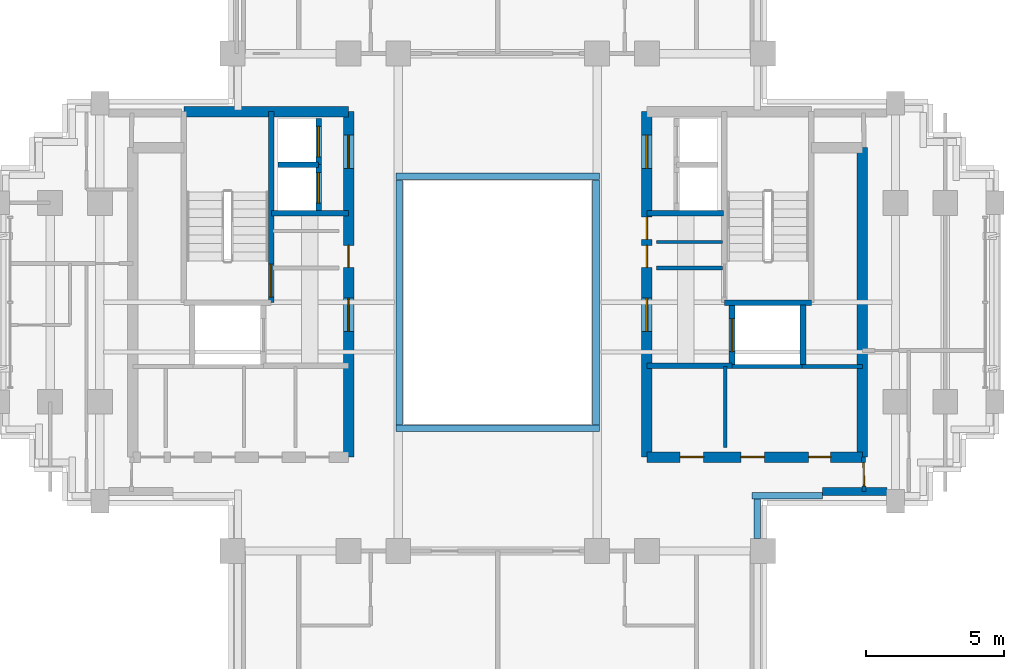
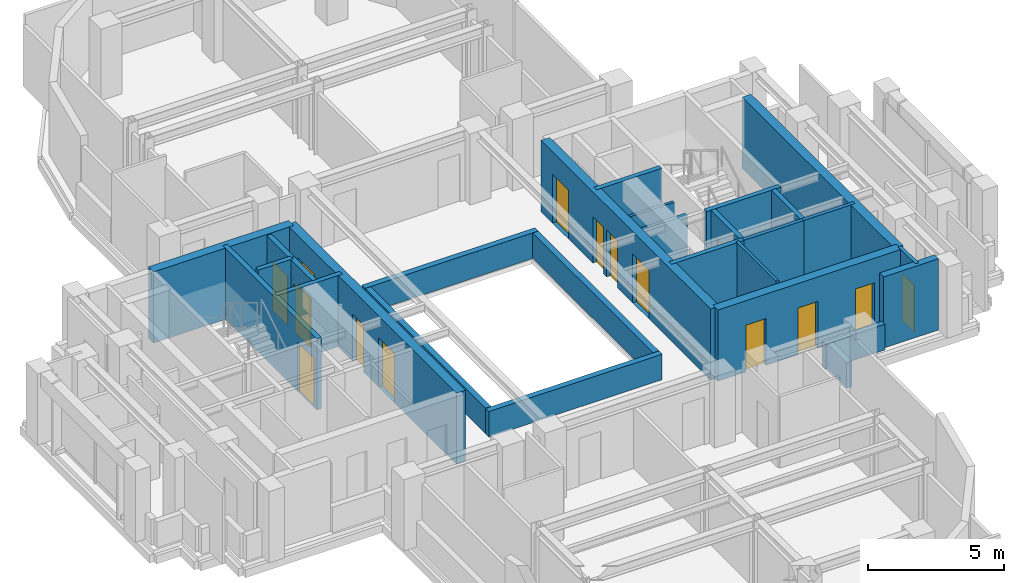
# One storey, part 7 of 12: 28 walls, 15 doors, 15 openings.
"""IFC4 building model written with IfcOpenShell, lengths in metres."""

from ifc_helpers import new_model, si_unit, direction, frame, frame_2d, origin, place, context, subcontext, project, spatial, rectangle, extrude, source, transform, mapped, material, layer, layer_set, type_object, element, fill, save


model = new_model("IFC4")

# Units and contexts
model_context = context("Model", 3, precision=1e-05, world=origin(), true_north=direction((0.0, 1.0)))
body_context = subcontext(model_context, "Body", "Model", "MODEL_VIEW")
ifc_project = project(units=[si_unit("LENGTHUNIT", "METRE"), si_unit("AREAUNIT", "SQUARE_METRE"), si_unit("VOLUMEUNIT", "CUBIC_METRE"), si_unit("PLANEANGLEUNIT", "RADIAN"), si_unit("MASSUNIT", "GRAM", prefix="KILO")], contexts=[model_context])

# Site, building, storey
site_placement = place(None, origin())
site = spatial("IfcSite", under=ifc_project, at=site_placement, CompositionType="ELEMENT")
building_placement = place(site_placement, origin())
building = spatial("IfcBuilding", under=site, at=building_placement, Name="Keilestroom Media Tower", CompositionType="ELEMENT")
storey_placement = place(building_placement, frame((0.0, 0.0, 191.0)))
storey = spatial("IfcBuildingStorey", under=building, at=storey_placement, Name="L52", CompositionType="ELEMENT", Elevation=191.0)

# Walls
ifc_material_1 = material(Name="Precast concrete C40/50", Category="concrete")
ifc_layer_1 = layer(ifc_material_1, 0.300048828125)
ifc_layer_set_1 = layer_set([ifc_layer_1], Name="Precast concrete C40/50")
wall_type_1 = type_object("IfcWallType", Name="Exterior-Masonry-Spandrel-Wall-300", PredefinedType="SOLIDWALL", material=ifc_layer_set_1)
wall_1_placement = place(storey_placement, frame((11.75, -6.85009765625, 0.0), z_axis=(0.0, 0.0, 1.0), x_axis=(1.0, 0.0, 0.0)))
element("IfcWall", 1, at=wall_1_placement, inside=storey, type_object=wall_type_1, Name="L52 Flank Masonry Wall EWL-L52-SE-1", PredefinedType="SOLIDWALL", context=body_context, shape_type="SweptSolid", body=[
    extrude(rectangle(XDim=2.3330078125, YDim=0.300048828125, at=frame_2d((1.16650390625, 0.0))), origin(), (0.0, 0.0, 1.0), 3.199951171875),
])
ifc_material_2 = material(Name="Gypsum Plasterboard & Steel Stud", Category="steel")
ifc_layer_2 = layer(ifc_material_2, 0.1201171875)
ifc_layer_set_2 = layer_set([ifc_layer_2], Name="Gypsum Plasterboard & Steel Stud")
wall_type_2 = type_object("IfcWallType", Name="Interior-Partition-Wall-120", PredefinedType="PARTITIONING", material=ifc_layer_set_2)
wall_2_placement = place(storey_placement, frame((5.75, 2.179931640625, 0.0), z_axis=(0.0, 0.0, 1.0), x_axis=(1.0, 0.0, 0.0)))
element("IfcWall", 2, at=wall_2_placement, inside=storey, type_object=wall_type_2, Name="L52 Interior Wall WP-L52-CNE-N", PredefinedType="PARTITIONING", context=body_context, shape_type="SweptSolid", body=[
    extrude(rectangle(XDim=2.389892578125, YDim=0.1201171875, at=frame_2d((1.19482421875, 0.0))), origin(), (0.0, 0.0, 1.0), 2.300048828125),
])
wall_3_placement = place(storey_placement, frame((8.239990234375, -5.260009765625, 0.0), z_axis=(0.0, 0.0, 1.0), x_axis=(0.0, 1.0, 0.0)))
element("IfcWall", 3, at=wall_3_placement, inside=storey, type_object=wall_type_2, Name="L52 Interior Wall WP-L52-RECME-M", PredefinedType="PARTITIONING", context=body_context, shape_type="SweptSolid", body=[
    extrude(rectangle(XDim=2.93994140625, YDim=0.1201171875, at=frame_2d((1.469970703125, 0.0))), origin(), (0.0, 0.0, 1.0), 3.199951171875),
])
ifc_layer_3 = layer(ifc_material_2, 0.14990234375)
ifc_layer_set_3 = layer_set([ifc_layer_3], Name="Gypsum Plasterboard & Steel Stud")
wall_type_3 = type_object("IfcWallType", Name="Interior-Partition-Wall-150", PredefinedType="PARTITIONING", material=ifc_layer_set_3)
wall_4_placement = place(storey_placement, frame((5.75, 1.239990234375, 0.0), z_axis=(0.0, 0.0, 1.0), x_axis=(1.0, 0.0, 0.0)))
element("IfcWall", 4, at=wall_4_placement, inside=storey, type_object=wall_type_3, Name="L52 Interior Wall WP-L52-FFE-TOP", PredefinedType="PARTITIONING", context=body_context, shape_type="SweptSolid", body=[
    extrude(rectangle(XDim=2.389892578125, YDim=0.14990234375, at=frame_2d((1.19482421875, 0.0))), origin(), (0.0, 0.0, 1.0), 2.300048828125),
])
wall_5_placement = place(storey_placement, frame((11.02001953125, -2.320068359375, 0.0), z_axis=(0.0, 0.0, 1.0), x_axis=(1.0, 0.0, 0.0)))
element("IfcWall", 5, at=wall_5_placement, inside=storey, type_object=wall_type_3, Name="L52 Interior Wall WP-L52-RECLE-N", PredefinedType="PARTITIONING", context=body_context, shape_type="SweptSolid", body=[
    extrude(rectangle(XDim=2.179931640625, YDim=0.14990234375, at=frame_2d((1.08984375, 0.0))), origin(), (0.0, 0.0, 1.0), 3.199951171875),
])
wall_6_placement = place(storey_placement, frame((8.47998046875, -2.320068359375, 0.0), z_axis=(0.0, 0.0, 1.0), x_axis=(1.0, 0.0, 0.0)))
element("IfcWall", 6, at=wall_6_placement, inside=storey, type_object=wall_type_3, Name="L52 Interior Wall WP-L52-RECME-N", PredefinedType="PARTITIONING", context=body_context, shape_type="SweptSolid", body=[
    extrude(rectangle(XDim=2.56005859375, YDim=0.14990234375, at=frame_2d((1.280029296875, 0.0))), origin(), (0.0, 0.0, 1.0), 3.199951171875),
])

# Wall, opening, door
wall_7_placement = place(storey_placement, frame((13.260009765625, -6.85009765625, 0.0), z_axis=(0.0, 0.0, 1.0), x_axis=(-0.016013571389, 0.999871774545, 0.0)))
wall_7 = element("IfcWall", 7, at=wall_7_placement, inside=storey, type_object=wall_type_3, Name="L52 Interior Wall WP-L52-HEE-ENTS", PredefinedType="PARTITIONING", context=body_context, shape_type="SweptSolid", body=[
    extrude(rectangle(XDim=1.250244140625, YDim=0.14990234375, at=frame_2d((0.625, 0.0))), origin(), (0.0, 0.0, 1.0), 3.199951171875),
])
opening_1_placement = place(wall_7_placement, frame((0.199951171875, 0.0, 0.0)))
opening_1 = element("IfcOpeningElement", 8, at=opening_1_placement, cuts=wall_7, Name="Opening DI-05", PredefinedType="OPENING", context=body_context, shape_type="SweptSolid", body=[
    extrude(rectangle(XDim=0.85009765625, YDim=2.10009765625, at=frame_2d((0.425048828125, 1.050048828125))), frame((0.0, 0.0849609375, 0.0), z_axis=(0.0, -1.0, 0.0), x_axis=(1.0, 0.0, 0.0)), (0.0, 0.0, 1.0), 0.169921875),
])
ifc_material_3 = material(Name="Moisture-Resistant Oak Leaf", Category="wood")
door_type_1 = type_object("IfcDoorType", Name="Interior-En-Suite-And-Cupboard-Door-DI-05", OperationType="NOTDEFINED", PredefinedType="DOOR", material=ifc_material_3)
shared_shape_1 = source(origin(), body_context, "Body", "SweptSolid", [
    extrude(rectangle(XDim=0.85009765625, YDim=2.10009765625, at=frame_2d((0.425048828125, 1.050048828125))), frame((0.0, 0.02490234375, 0.0), z_axis=(0.0, -1.0, 0.0), x_axis=(1.0, 0.0, 0.0)), (0.0, 0.0, 1.0), 0.050048828125),
])
door_1_placement = place(opening_1_placement, origin())
door_1 = element("IfcDoor", 9, at=door_1_placement, inside=storey, type_object=door_type_1, Name="L52 Interior Door DI-L52-DHEE-ENTS", OperationType="SINGLE_SWING_LEFT", OverallHeight=2.10009765625, OverallWidth=0.85009765625, PredefinedType="DOOR", context=body_context, shape_type="MappedRepresentation", body=[
    mapped(shared_shape_1, transform((0.0, 0.0, 0.0), x_axis=(1.0, 0.0, 0.0), y_axis=(0.0, 1.0, 0.0), z_axis=(0.0, 0.0, 1.0), scale=1.0)),
])
fill(opening_1, door_1)

# Wall, openings, doors
ifc_material_4 = material(Name="Concrete C55/67", Category="concrete")
ifc_layer_4 = layer(ifc_material_4, 0.3798828125)
ifc_layer_set_4 = layer_set([ifc_layer_4], Name="Concrete C55/67")
wall_type_4 = type_object("IfcWallType", Name="Reinforced-Concrete-Core-Shear-Wall-380", PredefinedType="SHEAR", material=ifc_layer_set_4)
wall_8_placement = place(storey_placement, frame((-5.39990234375, -5.60009765625, 0.0), z_axis=(0.0, 0.0, 1.0), x_axis=(0.0, 1.0, 0.0)))
wall_8 = element("IfcWall", 10, at=wall_8_placement, inside=storey, type_object=wall_type_4, Name="L52 Core Shear Wall WL-L52-CORE-W-IN", PredefinedType="SHEAR", context=body_context, shape_type="SweptSolid", body=[
    extrude(rectangle(XDim=12.5, YDim=0.3798828125, at=frame_2d((6.25, 0.0))), origin(), (0.0, 0.0, 1.0), 3.199951171875),
])
opening_2_placement = place(wall_8_placement, frame((4.550048828125, 0.0, 0.0)))
opening_2 = element("IfcOpeningElement", 11, at=opening_2_placement, cuts=wall_8, Name="Opening DI-02", PredefinedType="OPENING", context=body_context, shape_type="SweptSolid", body=[
    extrude(rectangle(XDim=1.199951171875, YDim=2.199951171875, at=frame_2d((0.60009765625, 1.10009765625))), frame((0.0, 0.199951171875, 0.0), z_axis=(0.0, -1.0, 0.0), x_axis=(1.0, 0.0, 0.0)), (0.0, 0.0, 1.0), 0.39990234375),
])
opening_3_placement = place(wall_8_placement, frame((10.449951171875, 0.0, 0.0)))
opening_3 = element("IfcOpeningElement", 12, at=opening_3_placement, cuts=wall_8, Name="Opening DI-02", PredefinedType="OPENING", context=body_context, shape_type="SweptSolid", body=[
    extrude(rectangle(XDim=1.199951171875, YDim=2.199951171875, at=frame_2d((0.60009765625, 1.10009765625))), frame((0.0, 0.199951171875, 0.0), z_axis=(0.0, -1.0, 0.0), x_axis=(1.0, 0.0, 0.0)), (0.0, 0.0, 1.0), 0.39990234375),
])
opening_4_placement = place(wall_8_placement, frame((6.860107421875, 0.0, 0.0)))
opening_4 = element("IfcOpeningElement", 13, at=opening_4_placement, cuts=wall_8, Name="Opening DI-06", PredefinedType="OPENING", context=body_context, shape_type="SweptSolid", body=[
    extrude(rectangle(XDim=0.800048828125, YDim=2.10009765625, at=frame_2d((0.39990234375, 1.050048828125))), frame((0.0, 0.199951171875, 0.0), z_axis=(0.0, -1.0, 0.0), x_axis=(1.0, 0.0, 0.0)), (0.0, 0.0, 1.0), 0.39990234375),
])
ifc_material_5 = material(Name="Powder-Coated Steel Fire Leaf", Category="steel")
door_type_2 = type_object("IfcDoorType", Name="Interior-Compartment-Fire-Door-DI-02", OperationType="NOTDEFINED", PredefinedType="DOOR", material=ifc_material_5)
shared_shape_2 = source(origin(), body_context, "Body", "SweptSolid", [
    extrude(rectangle(XDim=1.199951171875, YDim=2.199951171875, at=frame_2d((0.60009765625, 1.10009765625))), frame((0.0, 0.02490234375, 0.0), z_axis=(0.0, -1.0, 0.0), x_axis=(1.0, 0.0, 0.0)), (0.0, 0.0, 1.0), 0.050048828125),
])
door_2_placement = place(opening_2_placement, origin())
door_2 = element("IfcDoor", 14, at=door_2_placement, inside=storey, type_object=door_type_2, Name="L52 W Firefighting Lobby Door", OperationType="SINGLE_SWING_RIGHT", OverallHeight=2.199951171875, OverallWidth=1.199951171875, PredefinedType="DOOR", context=body_context, shape_type="MappedRepresentation", body=[
    mapped(shared_shape_2, transform((0.0, 0.0, 0.0), x_axis=(1.0, 0.0, 0.0), y_axis=(0.0, 1.0, 0.0), z_axis=(0.0, 0.0, 1.0), scale=1.0)),
])
fill(opening_2, door_2)
door_3_placement = place(opening_3_placement, origin())
door_3 = element("IfcDoor", 15, at=door_3_placement, inside=storey, type_object=door_type_2, Name="L52 W High-Rise Lift Lobby Door", OperationType="SINGLE_SWING_LEFT", OverallHeight=2.199951171875, OverallWidth=1.199951171875, PredefinedType="DOOR", context=body_context, shape_type="MappedRepresentation", body=[
    mapped(shared_shape_2, transform((0.0, 0.0, 0.0), x_axis=(1.0, 0.0, 0.0), y_axis=(0.0, 1.0, 0.0), z_axis=(0.0, 0.0, 1.0), scale=1.0)),
])
fill(opening_3, door_3)
ifc_material_6 = material(Name="Powder-Coated Steel Service Leaf", Category="steel")
door_type_3 = type_object("IfcDoorType", Name="Interior-Riser-Access-Door-DI-06", OperationType="NOTDEFINED", PredefinedType="DOOR", material=ifc_material_6)
shared_shape_3 = source(origin(), body_context, "Body", "SweptSolid", [
    extrude(rectangle(XDim=0.800048828125, YDim=2.10009765625, at=frame_2d((0.39990234375, 1.050048828125))), frame((0.0, 0.02490234375, 0.0), z_axis=(0.0, -1.0, 0.0), x_axis=(1.0, 0.0, 0.0)), (0.0, 0.0, 1.0), 0.050048828125),
])
door_4_placement = place(opening_4_placement, origin())
door_4 = element("IfcDoor", 16, at=door_4_placement, inside=storey, type_object=door_type_3, Name="L52 West Core Switchroom Door", OperationType="SINGLE_SWING_LEFT", OverallHeight=2.10009765625, OverallWidth=0.800048828125, PredefinedType="DOOR", context=body_context, shape_type="MappedRepresentation", body=[
    mapped(shared_shape_3, transform((0.0, 0.0, 0.0), x_axis=(1.0, 0.0, 0.0), y_axis=(0.0, 1.0, 0.0), z_axis=(0.0, 0.0, 1.0), scale=1.0)),
])
fill(opening_4, door_4)

# Walls
wall_9_placement = place(storey_placement, frame((-11.35595703125, 6.89990234375, 0.0), z_axis=(0.0, 0.0, 1.0), x_axis=(1.0, 0.0, 0.0)))
element("IfcWall", 17, at=wall_9_placement, inside=storey, type_object=wall_type_4, Name="L52 Core Shear Wall WL-L52-CORE-W-N", PredefinedType="SHEAR", context=body_context, shape_type="SweptSolid", body=[
    extrude(rectangle(XDim=5.9560546875, YDim=0.3798828125, at=frame_2d((2.97802734375, 0.0))), origin(), (0.0, 0.0, 1.0), 3.199951171875),
])
wall_10_placement = place(storey_placement, frame((13.199951171875, -5.60009765625, 0.0), z_axis=(0.0, 0.0, 1.0), x_axis=(0.0, 1.0, 0.0)))
element("IfcWall", 18, at=wall_10_placement, inside=storey, type_object=wall_type_4, Name="L52 Core Shear Wall WL-L52-CORE-E-OUT", PredefinedType="SHEAR", context=body_context, shape_type="SweptSolid", body=[
    extrude(rectangle(XDim=11.2001953125, YDim=0.3798828125, at=frame_2d((5.60009765625, 0.0))), origin(), (0.0, 0.0, 1.0), 3.199951171875),
])

# Wall, openings, doors
wall_11_placement = place(storey_placement, frame((5.39990234375, -5.60009765625, 0.0), z_axis=(0.0, 0.0, 1.0), x_axis=(0.0, 1.0, 0.0)))
wall_11 = element("IfcWall", 19, at=wall_11_placement, inside=storey, type_object=wall_type_4, Name="L52 Core Shear Wall WL-L52-CORE-E-IN", PredefinedType="SHEAR", context=body_context, shape_type="SweptSolid", body=[
    extrude(rectangle(XDim=12.5, YDim=0.3798828125, at=frame_2d((6.25, 0.0))), origin(), (0.0, 0.0, 1.0), 3.199951171875),
])
opening_5_placement = place(wall_11_placement, frame((4.550048828125, 0.0, 0.0)))
opening_5 = element("IfcOpeningElement", 20, at=opening_5_placement, cuts=wall_11, Name="Opening DI-02", PredefinedType="OPENING", context=body_context, shape_type="SweptSolid", body=[
    extrude(rectangle(XDim=1.199951171875, YDim=2.199951171875, at=frame_2d((0.60009765625, 1.10009765625))), frame((0.0, 0.199951171875, 0.0), z_axis=(0.0, -1.0, 0.0), x_axis=(1.0, 0.0, 0.0)), (0.0, 0.0, 1.0), 0.39990234375),
])
opening_6_placement = place(wall_11_placement, frame((10.449951171875, 0.0, 0.0)))
opening_6 = element("IfcOpeningElement", 21, at=opening_6_placement, cuts=wall_11, Name="Opening DI-02", PredefinedType="OPENING", context=body_context, shape_type="SweptSolid", body=[
    extrude(rectangle(XDim=1.199951171875, YDim=2.199951171875, at=frame_2d((0.60009765625, 1.10009765625))), frame((0.0, 0.199951171875, 0.0), z_axis=(0.0, -1.0, 0.0), x_axis=(1.0, 0.0, 0.0)), (0.0, 0.0, 1.0), 0.39990234375),
])
opening_7_placement = place(wall_11_placement, frame((6.860107421875, 0.0, 0.0)))
opening_7 = element("IfcOpeningElement", 22, at=opening_7_placement, cuts=wall_11, Name="Opening DI-06", PredefinedType="OPENING", context=body_context, shape_type="SweptSolid", body=[
    extrude(rectangle(XDim=0.800048828125, YDim=2.10009765625, at=frame_2d((0.39990234375, 1.050048828125))), frame((0.0, 0.199951171875, 0.0), z_axis=(0.0, -1.0, 0.0), x_axis=(1.0, 0.0, 0.0)), (0.0, 0.0, 1.0), 0.39990234375),
])
opening_8_placement = place(wall_11_placement, frame((7.8798828125, 0.0, 0.0)))
opening_8 = element("IfcOpeningElement", 23, at=opening_8_placement, cuts=wall_11, Name="Opening DI-06", PredefinedType="OPENING", context=body_context, shape_type="SweptSolid", body=[
    extrude(rectangle(XDim=0.800048828125, YDim=2.10009765625, at=frame_2d((0.39990234375, 1.050048828125))), frame((0.0, 0.199951171875, 0.0), z_axis=(0.0, -1.0, 0.0), x_axis=(1.0, 0.0, 0.0)), (0.0, 0.0, 1.0), 0.39990234375),
])
door_5_placement = place(opening_5_placement, origin())
door_5 = element("IfcDoor", 24, at=door_5_placement, inside=storey, type_object=door_type_2, Name="L52 E Firefighting Lobby Door", OperationType="SINGLE_SWING_LEFT", OverallHeight=2.199951171875, OverallWidth=1.199951171875, PredefinedType="DOOR", context=body_context, shape_type="MappedRepresentation", body=[
    mapped(shared_shape_2, transform((0.0, 0.0, 0.0), x_axis=(1.0, 0.0, 0.0), y_axis=(0.0, 1.0, 0.0), z_axis=(0.0, 0.0, 1.0), scale=1.0)),
])
fill(opening_5, door_5)
door_6_placement = place(opening_6_placement, origin())
door_6 = element("IfcDoor", 25, at=door_6_placement, inside=storey, type_object=door_type_2, Name="L52 E High-Rise Lift Lobby Door", OperationType="SINGLE_SWING_RIGHT", OverallHeight=2.199951171875, OverallWidth=1.199951171875, PredefinedType="DOOR", context=body_context, shape_type="MappedRepresentation", body=[
    mapped(shared_shape_2, transform((0.0, 0.0, 0.0), x_axis=(1.0, 0.0, 0.0), y_axis=(0.0, 1.0, 0.0), z_axis=(0.0, 0.0, 1.0), scale=1.0)),
])
fill(opening_6, door_6)
door_7_placement = place(opening_7_placement, origin())
door_7 = element("IfcDoor", 26, at=door_7_placement, inside=storey, type_object=door_type_3, Name="L52 East Core Telecom Door", OperationType="SINGLE_SWING_RIGHT", OverallHeight=2.10009765625, OverallWidth=0.800048828125, PredefinedType="DOOR", context=body_context, shape_type="MappedRepresentation", body=[
    mapped(shared_shape_3, transform((0.0, 0.0, 0.0), x_axis=(1.0, 0.0, 0.0), y_axis=(0.0, 1.0, 0.0), z_axis=(0.0, 0.0, 1.0), scale=1.0)),
])
fill(opening_7, door_7)
door_8_placement = place(opening_8_placement, origin())
door_8 = element("IfcDoor", 27, at=door_8_placement, inside=storey, type_object=door_type_3, Name="L52 East Core Closet Door", OperationType="SINGLE_SWING_RIGHT", OverallHeight=2.10009765625, OverallWidth=0.800048828125, PredefinedType="DOOR", context=body_context, shape_type="MappedRepresentation", body=[
    mapped(shared_shape_3, transform((0.0, 0.0, 0.0), x_axis=(1.0, 0.0, 0.0), y_axis=(0.0, 1.0, 0.0), z_axis=(0.0, 0.0, 1.0), scale=1.0)),
])
fill(opening_8, door_8)

wall_12_placement = place(storey_placement, frame((5.39990234375, -5.60009765625, 0.0), z_axis=(0.0, 0.0, 1.0), x_axis=(1.0, 0.0, 0.0)))
wall_12 = element("IfcWall", 28, at=wall_12_placement, inside=storey, type_object=wall_type_4, Name="L52 Core Shear Wall WL-L52-CORE-E-S", PredefinedType="SHEAR", context=body_context, shape_type="SweptSolid", body=[
    extrude(rectangle(XDim=7.800048828125, YDim=0.3798828125, at=frame_2d((3.89990234375, 0.0))), origin(), (0.0, 0.0, 1.0), 3.199951171875),
])
opening_9_placement = place(wall_12_placement, frame((5.85009765625, 0.0, 0.0)))
opening_9 = element("IfcOpeningElement", 29, at=opening_9_placement, cuts=wall_12, Name="Opening DI-06", PredefinedType="OPENING", context=body_context, shape_type="SweptSolid", body=[
    extrude(rectangle(XDim=0.800048828125, YDim=2.10009765625, at=frame_2d((0.39990234375, 1.050048828125))), frame((0.0, 0.199951171875, 0.0), z_axis=(0.0, -1.0, 0.0), x_axis=(1.0, 0.0, 0.0)), (0.0, 0.0, 1.0), 0.39990234375),
])
opening_10_placement = place(wall_12_placement, frame((1.199951171875, 0.0, 0.0)))
opening_10 = element("IfcOpeningElement", 30, at=opening_10_placement, cuts=wall_12, Name="Opening DI-05", PredefinedType="OPENING", context=body_context, shape_type="SweptSolid", body=[
    extrude(rectangle(XDim=0.85009765625, YDim=2.10009765625, at=frame_2d((0.425048828125, 1.050048828125))), frame((0.0, 0.199951171875, 0.0), z_axis=(0.0, -1.0, 0.0), x_axis=(1.0, 0.0, 0.0)), (0.0, 0.0, 1.0), 0.39990234375),
])
opening_11_placement = place(wall_12_placement, frame((3.39990234375, 0.0, 0.0)))
opening_11 = element("IfcOpeningElement", 31, at=opening_11_placement, cuts=wall_12, Name="Opening DI-05", PredefinedType="OPENING", context=body_context, shape_type="SweptSolid", body=[
    extrude(rectangle(XDim=0.85009765625, YDim=2.10009765625, at=frame_2d((0.425048828125, 1.050048828125))), frame((0.0, 0.199951171875, 0.0), z_axis=(0.0, -1.0, 0.0), x_axis=(1.0, 0.0, 0.0)), (0.0, 0.0, 1.0), 0.39990234375),
])
door_9_placement = place(opening_9_placement, origin())
door_9 = element("IfcDoor", 32, at=door_9_placement, inside=storey, type_object=door_type_3, Name="L52 Reclaimed East Core Room Door", OperationType="SINGLE_SWING_RIGHT", OverallHeight=2.10009765625, OverallWidth=0.800048828125, PredefinedType="DOOR", context=body_context, shape_type="MappedRepresentation", body=[
    mapped(shared_shape_3, transform((0.0, 0.0, 0.0), x_axis=(1.0, 0.0, 0.0), y_axis=(0.0, 1.0, 0.0), z_axis=(0.0, 0.0, 1.0), scale=1.0)),
])
fill(opening_9, door_9)
door_10_placement = place(opening_10_placement, origin())
door_10 = element("IfcDoor", 33, at=door_10_placement, inside=storey, type_object=door_type_1, Name="L52 Reclaimed Mid East Room 1 Door", OperationType="SINGLE_SWING_RIGHT", OverallHeight=2.10009765625, OverallWidth=0.85009765625, PredefinedType="DOOR", context=body_context, shape_type="MappedRepresentation", body=[
    mapped(shared_shape_1, transform((0.0, 0.0, 0.0), x_axis=(1.0, 0.0, 0.0), y_axis=(0.0, 1.0, 0.0), z_axis=(0.0, 0.0, 1.0), scale=1.0)),
])
fill(opening_10, door_10)
door_11_placement = place(opening_11_placement, origin())
door_11 = element("IfcDoor", 34, at=door_11_placement, inside=storey, type_object=door_type_1, Name="L52 Reclaimed Mid East Room 2 Door", OperationType="SINGLE_SWING_RIGHT", OverallHeight=2.10009765625, OverallWidth=0.85009765625, PredefinedType="DOOR", context=body_context, shape_type="MappedRepresentation", body=[
    mapped(shared_shape_1, transform((0.0, 0.0, 0.0), x_axis=(1.0, 0.0, 0.0), y_axis=(0.0, 1.0, 0.0), z_axis=(0.0, 0.0, 1.0), scale=1.0)),
])
fill(opening_11, door_11)

# Wall
ifc_material_7 = material(Name="Concrete C50/60", Category="concrete")
ifc_layer_5 = layer(ifc_material_7, 0.199951171875)
ifc_layer_set_5 = layer_set([ifc_layer_5], Name="Concrete C50/60")
wall_type_5 = type_object("IfcWallType", Name="Reinforced-Concrete-Shaft-Wall-200", PredefinedType="SOLIDWALL", material=ifc_layer_set_5)
wall_13_placement = place(storey_placement, frame((-8.179931640625, 3.219970703125, 0.0), z_axis=(0.0, 0.0, 1.0), x_axis=(1.0, 0.0, 0.0)))
element("IfcWall", 35, at=wall_13_placement, inside=storey, type_object=wall_type_5, Name="L52 Core Shear Wall WL-L52-CORE-W-FFN", PredefinedType="SOLIDWALL", context=body_context, shape_type="SweptSolid", body=[
    extrude(rectangle(XDim=2.780029296875, YDim=0.199951171875, at=frame_2d((1.39013671875, 0.0))), origin(), (0.0, 0.0, 1.0), 3.199951171875),
])

# Wall, opening, door
wall_14_placement = place(storey_placement, frame((-8.2041015625, -0.01611328125, 0.0), z_axis=(0.0, 0.0, 1.0), x_axis=(0.0, 1.0, 0.0)))
wall_14 = element("IfcWall", 36, at=wall_14_placement, inside=storey, type_object=wall_type_5, Name="L52 Core Shear Wall WL-L52-STW-W-NEAR", PredefinedType="SOLIDWALL", context=body_context, shape_type="SweptSolid", body=[
    extrude(rectangle(XDim=6.916015625, YDim=0.199951171875, at=frame_2d((3.4580078125, 0.0))), origin(), (0.0, 0.0, 1.0), 3.199951171875),
])
opening_12_placement = place(wall_14_placement, frame((0.199951171875, 0.0, 0.0)))
opening_12 = element("IfcOpeningElement", 37, at=opening_12_placement, cuts=wall_14, Name="Opening DI-01S", PredefinedType="OPENING", context=body_context, shape_type="SweptSolid", body=[
    extrude(rectangle(XDim=1.199951171875, YDim=2.199951171875, at=frame_2d((0.60009765625, 1.10009765625))), frame((0.0, 0.10986328125, 0.0), z_axis=(0.0, -1.0, 0.0), x_axis=(1.0, 0.0, 0.0)), (0.0, 0.0, 1.0), 0.219970703125),
])
door_type_4 = type_object("IfcDoorType", Name="Interior-Stair-And-Core-Fire-Door-DI-01", OperationType="NOTDEFINED", PredefinedType="DOOR", material=ifc_material_5)
door_12_placement = place(opening_12_placement, origin())
door_12 = element("IfcDoor", 38, at=door_12_placement, inside=storey, type_object=door_type_4, Name="L52 Escape Stair ST-1 Fire Door", OperationType="SINGLE_SWING_LEFT", OverallHeight=2.199951171875, OverallWidth=1.199951171875, PredefinedType="DOOR", context=body_context, shape_type="MappedRepresentation", body=[
    mapped(shared_shape_2, transform((0.0, 0.0, 0.0), x_axis=(1.0, 0.0, 0.0), y_axis=(0.0, 1.0, 0.0), z_axis=(0.0, 0.0, 1.0), scale=1.0)),
])
fill(opening_12, door_12)

# Walls
wall_15_placement = place(storey_placement, frame((5.39990234375, 3.219970703125, 0.0), z_axis=(0.0, 0.0, 1.0), x_axis=(1.0, 0.0, 0.0)))
element("IfcWall", 39, at=wall_15_placement, inside=storey, type_object=wall_type_5, Name="L52 Core Shear Wall WL-L52-CORE-E-FFN", PredefinedType="SOLIDWALL", context=body_context, shape_type="SweptSolid", body=[
    extrude(rectangle(XDim=2.780029296875, YDim=0.199951171875, at=frame_2d((1.39013671875, 0.0))), origin(), (0.0, 0.0, 1.0), 3.199951171875),
])
wall_16_placement = place(storey_placement, frame((5.39990234375, -2.300048828125, 0.0), z_axis=(0.0, 0.0, 1.0), x_axis=(1.0, 0.0, 0.0)))
element("IfcWall", 40, at=wall_16_placement, inside=storey, type_object=wall_type_5, Name="L52 Core Shear Wall WL-L52-CORE-E-FFS", PredefinedType="SOLIDWALL", context=body_context, shape_type="SweptSolid", body=[
    extrude(rectangle(XDim=3.080078125, YDim=0.199951171875, at=frame_2d((1.5400390625, 0.0))), origin(), (0.0, 0.0, 1.0), 3.199951171875),
])
wall_17_placement = place(storey_placement, frame((8.2041015625, -0.01611328125, 0.0), z_axis=(0.0, 0.0, 1.0), x_axis=(1.0, 0.0, 0.0)))
element("IfcWall", 41, at=wall_17_placement, inside=storey, type_object=wall_type_5, Name="L52 Core Shear Wall WL-L52-STW-E-S", PredefinedType="SOLIDWALL", context=body_context, shape_type="SweptSolid", body=[
    extrude(rectangle(XDim=3.15185546875, YDim=0.199951171875, at=frame_2d((1.575927734375, 0.0))), origin(), (0.0, 0.0, 1.0), 3.199951171875),
])

# Wall, opening, door
wall_18_placement = place(storey_placement, frame((8.47998046875, -2.280029296875, 0.0), z_axis=(0.0, 0.0, 1.0), x_axis=(0.0, 1.0, 0.0)))
wall_18 = element("IfcWall", 42, at=wall_18_placement, inside=storey, type_object=wall_type_5, Name="L52 Core Shear Wall WL-L52-LSH-FFL-2-W", PredefinedType="SOLIDWALL", context=body_context, shape_type="SweptSolid", body=[
    extrude(rectangle(XDim=2.179931640625, YDim=0.199951171875, at=frame_2d((1.08984375, 0.0))), origin(), (0.0, 0.0, 1.0), 3.199951171875),
])
opening_13_placement = place(wall_18_placement, frame((0.489990234375, 0.0, 0.0)))
opening_13 = element("IfcOpeningElement", 43, at=opening_13_placement, cuts=wall_18, Name="Opening LD-02", PredefinedType="OPENING", context=body_context, shape_type="SweptSolid", body=[
    extrude(rectangle(XDim=1.199951171875, YDim=2.199951171875, at=frame_2d((0.60009765625, 1.10009765625))), frame((0.0, 0.10986328125, 0.0), z_axis=(0.0, -1.0, 0.0), x_axis=(1.0, 0.0, 0.0)), (0.0, 0.0, 1.0), 0.219970703125),
])
ifc_material_8 = material(Name="Brushed Stainless Steel Sliding Leaf", Category="steel")
door_type_5 = type_object("IfcDoorType", Name="Lift-Landing-Sliding-Door-LD-02", OperationType="SLIDING_TO_RIGHT", PredefinedType="DOOR", material=ifc_material_8)
door_13_placement = place(opening_13_placement, origin())
door_13 = element("IfcDoor", 44, at=door_13_placement, inside=storey, type_object=door_type_5, Name="L52 Lift FFL-2 Landing Sliding Door", OperationType="SLIDING_TO_RIGHT", OverallHeight=2.199951171875, OverallWidth=1.199951171875, PredefinedType="DOOR", context=body_context, shape_type="MappedRepresentation", body=[
    mapped(shared_shape_2, transform((0.0, 0.0, 0.0), x_axis=(1.0, 0.0, 0.0), y_axis=(0.0, 1.0, 0.0), z_axis=(0.0, 0.0, 1.0), scale=1.0)),
])
fill(opening_13, door_13)

# Wall
wall_19_placement = place(storey_placement, frame((11.050048828125, -2.280029296875, 0.0), z_axis=(0.0, 0.0, 1.0), x_axis=(0.0, 1.0, 0.0)))
element("IfcWall", 45, at=wall_19_placement, inside=storey, type_object=wall_type_5, Name="L52 Core Shear Wall WL-L52-LSH-FFL-2-E", PredefinedType="SOLIDWALL", context=body_context, shape_type="SweptSolid", body=[
    extrude(rectangle(XDim=2.179931640625, YDim=0.199951171875, at=frame_2d((1.08984375, 0.0))), origin(), (0.0, 0.0, 1.0), 3.199951171875),
])

# Wall, opening, door
wall_20_placement = place(storey_placement, frame((-6.47998046875, 3.300048828125, 0.0), z_axis=(0.0, 0.0, 1.0), x_axis=(0.0, 1.0, 0.0)))
wall_20 = element("IfcWall", 46, at=wall_20_placement, inside=storey, type_object=wall_type_5, Name="L52 Core Shear Wall WL-L52-LSH-PL-H1-E", PredefinedType="SOLIDWALL", context=body_context, shape_type="SweptSolid", body=[
    extrude(rectangle(XDim=1.679931640625, YDim=0.199951171875, at=frame_2d((0.83984375, 0.0))), origin(), (0.0, 0.0, 1.0), 3.199951171875),
])
opening_14_placement = place(wall_20_placement, frame((0.2900390625, 0.0, 0.0)))
opening_14 = element("IfcOpeningElement", 47, at=opening_14_placement, cuts=wall_20, Name="Opening LD-01", PredefinedType="OPENING", context=body_context, shape_type="SweptSolid", body=[
    extrude(rectangle(XDim=1.10009765625, YDim=2.199951171875, at=frame_2d((0.550048828125, 1.10009765625))), frame((0.0, 0.10986328125, 0.0), z_axis=(0.0, -1.0, 0.0), x_axis=(1.0, 0.0, 0.0)), (0.0, 0.0, 1.0), 0.219970703125),
])
door_type_6 = type_object("IfcDoorType", Name="Lift-Landing-Sliding-Door-LD-01", OperationType="SLIDING_TO_LEFT", PredefinedType="DOOR", material=ifc_material_8)
shared_shape_4 = source(origin(), body_context, "Body", "SweptSolid", [
    extrude(rectangle(XDim=1.10009765625, YDim=2.199951171875, at=frame_2d((0.550048828125, 1.10009765625))), frame((0.0, 0.02490234375, 0.0), z_axis=(0.0, -1.0, 0.0), x_axis=(1.0, 0.0, 0.0)), (0.0, 0.0, 1.0), 0.050048828125),
])
door_14_placement = place(opening_14_placement, origin())
door_14 = element("IfcDoor", 48, at=door_14_placement, inside=storey, type_object=door_type_6, Name="L52 Lift PL-H1 Landing Sliding Door", OperationType="SLIDING_TO_LEFT", OverallHeight=2.199951171875, OverallWidth=1.10009765625, PredefinedType="DOOR", context=body_context, shape_type="MappedRepresentation", body=[
    mapped(shared_shape_4, transform((0.0, 0.0, 0.0), x_axis=(1.0, 0.0, 0.0), y_axis=(0.0, 1.0, 0.0), z_axis=(0.0, 0.0, 1.0), scale=1.0)),
])
fill(opening_14, door_14)

# Wall
wall_21_placement = place(storey_placement, frame((-7.949951171875, 4.97998046875, 0.0), z_axis=(0.0, 0.0, 1.0), x_axis=(1.0, 0.0, 0.0)))
element("IfcWall", 49, at=wall_21_placement, inside=storey, type_object=wall_type_5, Name="L52 Core Shear Wall WL-L52-LSH-PL-H1-N", PredefinedType="SOLIDWALL", context=body_context, shape_type="SweptSolid", body=[
    extrude(rectangle(XDim=1.469970703125, YDim=0.199951171875, at=frame_2d((0.73486328125, 0.0))), origin(), (0.0, 0.0, 1.0), 3.199951171875),
])

# Wall, opening, door
wall_22_placement = place(storey_placement, frame((-6.47998046875, 4.97998046875, 0.0), z_axis=(0.0, 0.0, 1.0), x_axis=(0.0, 1.0, 0.0)))
wall_22 = element("IfcWall", 50, at=wall_22_placement, inside=storey, type_object=wall_type_5, Name="L52 Core Shear Wall WL-L52-LSH-PL-H2-E", PredefinedType="SOLIDWALL", context=body_context, shape_type="SweptSolid", body=[
    extrude(rectangle(XDim=1.669921875, YDim=0.199951171875, at=frame_2d((0.8349609375, 0.0))), origin(), (0.0, 0.0, 1.0), 3.199951171875),
])
opening_15_placement = place(wall_22_placement, frame((0.284912109375, 0.0, 0.0)))
opening_15 = element("IfcOpeningElement", 51, at=opening_15_placement, cuts=wall_22, Name="Opening LD-01", PredefinedType="OPENING", context=body_context, shape_type="SweptSolid", body=[
    extrude(rectangle(XDim=1.10009765625, YDim=2.199951171875, at=frame_2d((0.550048828125, 1.10009765625))), frame((0.0, 0.10986328125, 0.0), z_axis=(0.0, -1.0, 0.0), x_axis=(1.0, 0.0, 0.0)), (0.0, 0.0, 1.0), 0.219970703125),
])
door_15_placement = place(opening_15_placement, origin())
door_15 = element("IfcDoor", 52, at=door_15_placement, inside=storey, type_object=door_type_6, Name="L52 Lift PL-H2 Landing Sliding Door", OperationType="SLIDING_TO_LEFT", OverallHeight=2.199951171875, OverallWidth=1.10009765625, PredefinedType="DOOR", context=body_context, shape_type="MappedRepresentation", body=[
    mapped(shared_shape_4, transform((0.0, 0.0, 0.0), x_axis=(1.0, 0.0, 0.0), y_axis=(0.0, 1.0, 0.0), z_axis=(0.0, 0.0, 1.0), scale=1.0)),
])
fill(opening_15, door_15)

# Walls
ifc_layer_6 = layer(ifc_material_1, 0.239990234375)
ifc_layer_set_6 = layer_set([ifc_layer_6], Name="Precast concrete C40/50")
wall_type_6 = type_object("IfcWallType", Name="Roof-And-Terrace-Parapet-Wall-240", PredefinedType="PARAPET", material=ifc_layer_set_6)
wall_23_placement = place(storey_placement, frame((11.7470703125, -7.0, 0.0), z_axis=(0.0, 0.0, 1.0), x_axis=(-1.0, 0.0, 0.0)))
element("IfcWall", 53, at=wall_23_placement, inside=storey, type_object=wall_type_6, Name="L52 Perimeter Edge Parapet Wall 07", PredefinedType="PARAPET", context=body_context, shape_type="SweptSolid", body=[
    extrude(rectangle(XDim=2.547119140625, YDim=0.239990234375, at=frame_2d((1.2734375, 0.0))), origin(), (0.0, 0.0, 1.0), 1.14990234375),
])
wall_24_placement = place(storey_placement, frame((9.39990234375, -7.123046875, 0.0), z_axis=(0.0, 0.0, 1.0), x_axis=(0.0, -1.0, 0.0)))
element("IfcWall", 54, at=wall_24_placement, inside=storey, type_object=wall_type_6, Name="L52 Perimeter Edge Parapet Wall 08", PredefinedType="PARAPET", context=body_context, shape_type="SweptSolid", body=[
    extrude(rectangle(XDim=1.424072265625, YDim=0.239990234375, at=frame_2d((0.7119140625, 0.0))), origin(), (0.0, 0.0, 1.0), 1.14990234375),
])
for number, where, z_axis, x_axis, name in (
    (55, (-3.679931640625, -4.56005859375, 0.0), (0.0, 0.0, 1.0), (1.0, 0.0, 0.0), "L52 Central Atrium Guard Parapet S"),
    (56, (-3.679931640625, 4.56005859375, 0.0), (0.0, 0.0, 1.0), (1.0, 0.0, 0.0), "L52 Central Atrium Guard Parapet N"),
):
    element("IfcWall", number, at=place(storey_placement, frame(where, z_axis=z_axis, x_axis=x_axis)), inside=storey, type_object=wall_type_6, Name=name, PredefinedType="PARAPET", context=body_context, shape_type="SweptSolid", body=[
        extrude(rectangle(XDim=7.35986328125, YDim=0.239990234375, at=frame_2d((3.679931640625, 0.0))), origin(), (0.0, 0.0, 1.0), 1.14990234375),
    ])
for number, where, z_axis, x_axis, name in (
    (57, (-3.56005859375, -4.43505859375, 0.0), (0.0, 0.0, 1.0), (0.0, 1.0, 0.0), "L52 Central Atrium Guard Parapet W"),
    (58, (3.56005859375, -4.43505859375, 0.0), (0.0, 0.0, 1.0), (0.0, 1.0, 0.0), "L52 Central Atrium Guard Parapet E"),
):
    element("IfcWall", number, at=place(storey_placement, frame(where, z_axis=z_axis, x_axis=x_axis)), inside=storey, type_object=wall_type_6, Name=name, PredefinedType="PARAPET", context=body_context, shape_type="SweptSolid", body=[
        extrude(rectangle(XDim=8.8701171875, YDim=0.239990234375, at=frame_2d((4.43505859375, 0.0))), origin(), (0.0, 0.0, 1.0), 1.14990234375),
    ])

save(model, "model.ifc")
